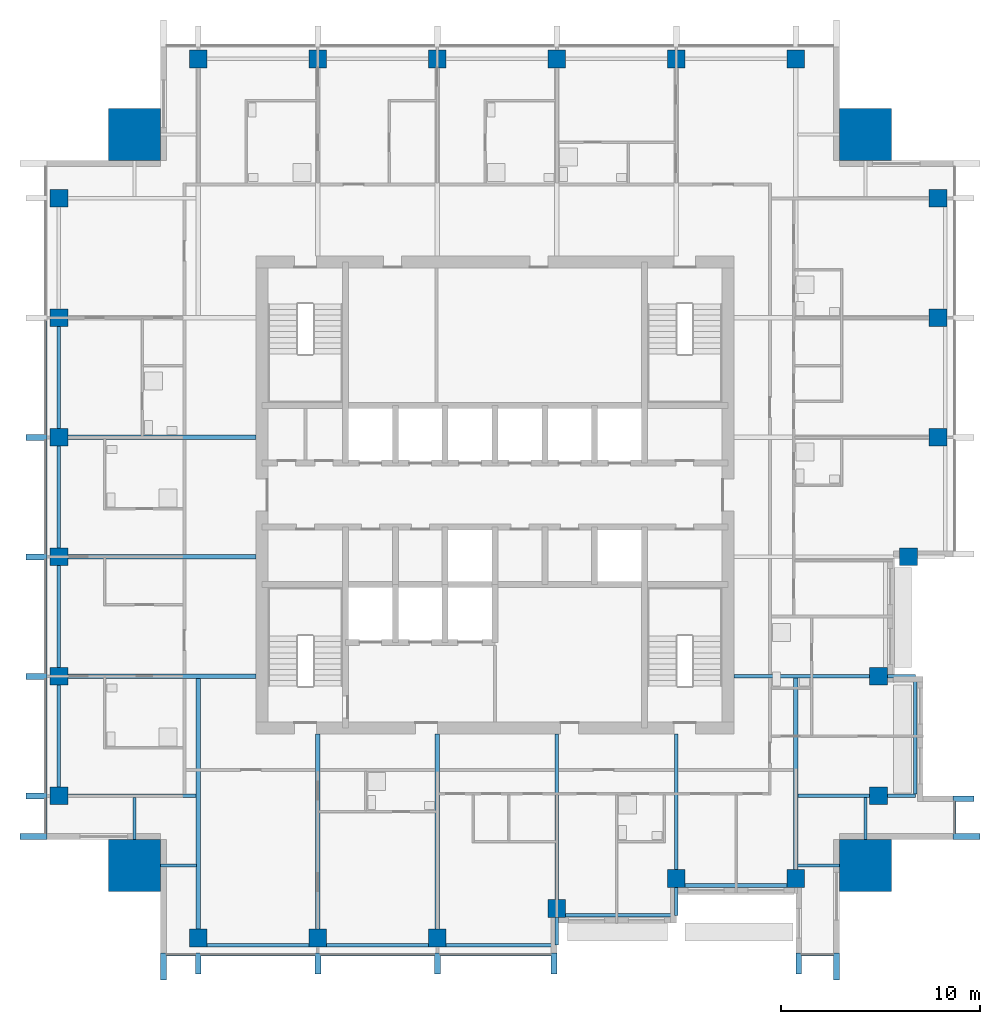
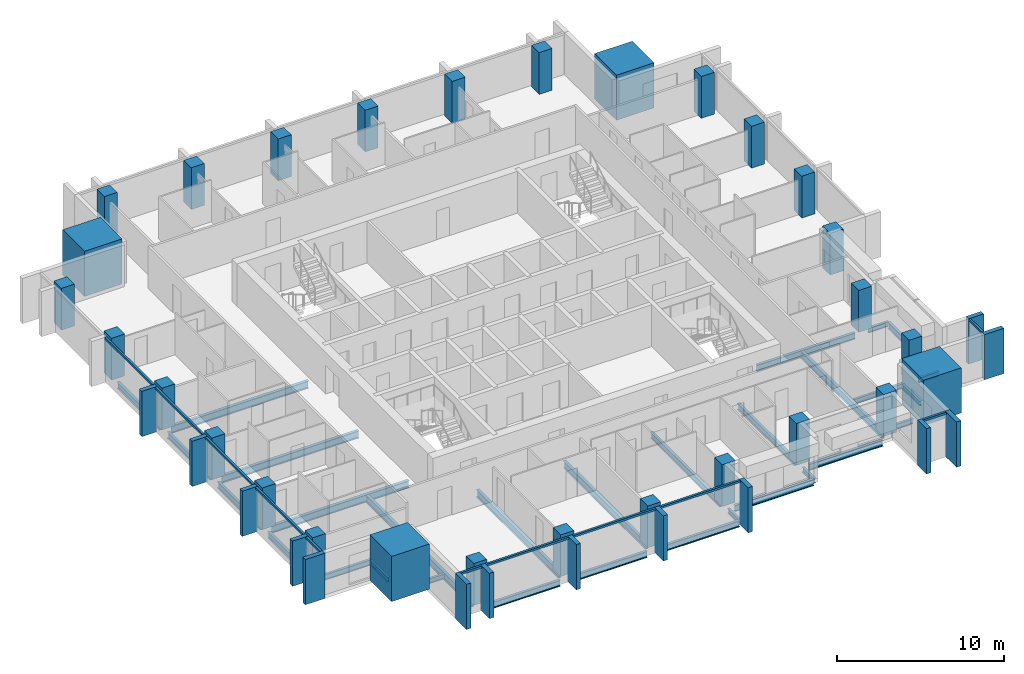
# One storey, part 1 of 10: 30 beams, 28 columns, 25 members, 4 elements without a shape of their own.
"""IFC4 building model written with IfcOpenShell, lengths in metres."""

from ifc_helpers import new_model, si_unit, direction, frame, origin, origin_2d, place, context, subcontext, project, spatial, rectangle, i_section, extrude, material, material_profile, profile_set, type_object, element, aggregate, save


model = new_model("IFC4")

# Units and contexts
model_context = context("Model", 3, precision=1e-05, world=origin(), true_north=direction((0.0, 1.0)))
body_context = subcontext(model_context, "Body", "Model", "MODEL_VIEW")
ifc_project = project(units=[si_unit("LENGTHUNIT", "METRE"), si_unit("AREAUNIT", "SQUARE_METRE"), si_unit("VOLUMEUNIT", "CUBIC_METRE"), si_unit("PLANEANGLEUNIT", "RADIAN"), si_unit("MASSUNIT", "GRAM", prefix="KILO")], contexts=[model_context])

# Site, building, storey
site_placement = place(None, origin())
site = spatial("IfcSite", under=ifc_project, at=site_placement, CompositionType="ELEMENT")
building_placement = place(site_placement, origin())
building = spatial("IfcBuilding", under=site, at=building_placement, Name="Amberfall Residences", CompositionType="ELEMENT")
storey_placement = place(building_placement, frame((0.0, 0.0, 203.5)))
storey = spatial("IfcBuildingStorey", under=building, at=storey_placement, Name="L54", CompositionType="ELEMENT", Elevation=203.5)

# Columns
ifc_material_1 = material(Name="Concrete C55", Category="concrete")
ifc_material_profile_1 = material_profile(ifc_material_1, rectangle(XDim=0.89990234375, YDim=0.89990234375, at=origin_2d()), Name="Column 900 x 900 C55")
ifc_profile_set_1 = profile_set([ifc_material_profile_1], Name="Concrete C55")
column_type_1 = type_object("IfcColumnType", Name="Column 900 x 900 C55", PredefinedType="COLUMN", material=ifc_profile_set_1)
for number, where, z_axis, x_axis, name in (
    (1, (59.60009765625, 23.25, 0.0), (0.0, 0.0, 1.0), (1.0, 0.0, 0.0), "Column C4 L54 S1"),
    (2, (65.60009765625, 23.25, 0.0), (0.0, 0.0, 1.0), (1.0, 0.0, 0.0), "Column C4 L54 S2"),
    (3, (71.60009765625, 23.25, 0.0), (0.0, 0.0, 1.0), (1.0, 0.0, 0.0), "Column C4 L54 S3"),
    (4, (77.60009765625, 24.75, 0.0), (0.0, 0.0, 1.0), (1.0, 0.0, 0.0), "Column C4 L54 S4"),
    (5, (83.60009765625, 26.25, 0.0), (0.0, 0.0, 1.0), (1.0, 0.0, 0.0), "Column C4 L54 S5"),
    (6, (89.60009765625, 26.25, 0.0), (0.0, 0.0, 1.0), (1.0, 0.0, 0.0), "Column C4 L54 S6"),
    (7, (93.75, 30.39990234375, 0.0), (0.0, 0.0, 1.0), (1.0, 0.0, 0.0), "Column C4 L54 E1"),
    (8, (93.75, 36.39990234375, 0.0), (0.0, 0.0, 1.0), (1.0, 0.0, 0.0), "Column C4 L54 E2"),
    (9, (95.25, 42.39990234375, 0.0), (0.0, 0.0, 1.0), (1.0, 0.0, 0.0), "Column C4 L54 E3"),
    (10, (96.75, 48.39990234375, 0.0), (0.0, 0.0, 1.0), (1.0, 0.0, 0.0), "Column C4 L54 E4"),
    (11, (96.75, 54.39990234375, 0.0), (0.0, 0.0, 1.0), (1.0, 0.0, 0.0), "Column C4 L54 E5"),
    (12, (96.75, 60.39990234375, 0.0), (0.0, 0.0, 1.0), (1.0, 0.0, 0.0), "Column C4 L54 E6"),
    (13, (59.60009765625, 67.39990234375, 0.0), (0.0, 0.0, 1.0), (1.0, 0.0, 0.0), "Column C4 L54 N1"),
    (14, (65.60009765625, 67.39990234375, 0.0), (0.0, 0.0, 1.0), (1.0, 0.0, 0.0), "Column C4 L54 N2"),
    (15, (71.60009765625, 67.39990234375, 0.0), (0.0, 0.0, 1.0), (1.0, 0.0, 0.0), "Column C4 L54 N3"),
    (16, (77.60009765625, 67.39990234375, 0.0), (0.0, 0.0, 1.0), (1.0, 0.0, 0.0), "Column C4 L54 N4"),
    (17, (83.60009765625, 67.39990234375, 0.0), (0.0, 0.0, 1.0), (1.0, 0.0, 0.0), "Column C4 L54 N5"),
    (18, (89.60009765625, 67.39990234375, 0.0), (0.0, 0.0, 1.0), (1.0, 0.0, 0.0), "Column C4 L54 N6"),
    (19, (52.60009765625, 30.39990234375, 0.0), (0.0, 0.0, 1.0), (1.0, 0.0, 0.0), "Column C4 L54 W1"),
    (20, (52.60009765625, 36.39990234375, 0.0), (0.0, 0.0, 1.0), (1.0, 0.0, 0.0), "Column C4 L54 W2"),
    (21, (52.60009765625, 42.39990234375, 0.0), (0.0, 0.0, 1.0), (1.0, 0.0, 0.0), "Column C4 L54 W3"),
    (22, (52.60009765625, 48.39990234375, 0.0), (0.0, 0.0, 1.0), (1.0, 0.0, 0.0), "Column C4 L54 W4"),
    (23, (52.60009765625, 54.39990234375, 0.0), (0.0, 0.0, 1.0), (1.0, 0.0, 0.0), "Column C4 L54 W5"),
    (24, (52.60009765625, 60.39990234375, 0.0), (0.0, 0.0, 1.0), (1.0, 0.0, 0.0), "Column C4 L54 W6"),
):
    element("IfcColumn", number, at=place(storey_placement, frame(where, z_axis=z_axis, x_axis=x_axis)), inside=storey, type_object=column_type_1, Name=name, PredefinedType="COLUMN", context=body_context, shape_type="SweptSolid", body=[
        extrude(rectangle(XDim=0.89990234375, YDim=0.89990234375, at=origin_2d()), origin(), (0.0, 0.0, 1.0), 3.050048828125),
    ])
ifc_material_profile_2 = material_profile(ifc_material_1, rectangle(XDim=2.60009765625, YDim=2.60009765625, at=origin_2d()), Name="Mega column 2600 x 2600 C55")
ifc_profile_set_2 = profile_set([ifc_material_profile_2], Name="Concrete C55")
column_type_2 = type_object("IfcColumnType", Name="Mega column 2600 x 2600 C55", PredefinedType="COLUMN", material=ifc_profile_set_2)
for number, where, z_axis, x_axis, name in (
    (25, (56.39990234375, 26.89990234375, 0.0), (0.0, 0.0, 1.0), (1.0, 0.0, 0.0), "Mega column MC8 L54 SW"),
    (26, (93.10009765625, 26.89990234375, 0.0), (0.0, 0.0, 1.0), (1.0, 0.0, 0.0), "Mega column MC8 L54 SE"),
    (27, (93.10009765625, 63.60009765625, 0.0), (0.0, 0.0, 1.0), (1.0, 0.0, 0.0), "Mega column MC8 L54 NE"),
    (28, (56.39990234375, 63.60009765625, 0.0), (0.0, 0.0, 1.0), (1.0, 0.0, 0.0), "Mega column MC8 L54 NW"),
):
    element("IfcColumn", number, at=place(storey_placement, frame(where, z_axis=z_axis, x_axis=x_axis)), inside=storey, type_object=column_type_2, Name=name, PredefinedType="COLUMN", context=body_context, shape_type="SweptSolid", body=[
        extrude(rectangle(XDim=2.60009765625, YDim=2.60009765625, at=origin_2d()), origin(), (0.0, 0.0, 1.0), 3.300048828125),
    ])

# Curtain wall, members
ifc_material_2 = material(Name="Bronze anodised aluminium and glass", Category="aluminium")
curtain_wall_type = type_object("IfcCurtainWallType", Name="Curtain wall CW1 tower unit", PredefinedType="USERDEFINED", material=ifc_material_2)
curtain_wall_1_placement = place(storey_placement, origin())
curtain_wall_1 = element("IfcCurtainWall", 29, at=curtain_wall_1_placement, inside=storey, type_object=curtain_wall_type, Name="Curtain wall L54 S S1", ObjectType="UNITISED CURTAIN WALL", PredefinedType="USERDEFINED")
ifc_material_3 = material(Name="Bronze anodised aluminium", Category="aluminium")
ifc_material_profile_3 = material_profile(ifc_material_3, rectangle(XDim=0.14990234375, YDim=0.14990234375, at=origin_2d()), Name="CW1 transom 150 x 150 bronze")
ifc_profile_set_3 = profile_set([ifc_material_profile_3], Name="Bronze anodised aluminium")
member_type_1 = type_object("IfcMemberType", Name="CW1 transom 150 x 150 bronze", PredefinedType="USERDEFINED", material=ifc_profile_set_3)
member_1_placement = place(storey_placement, frame((58.0, 22.425048828125, 2.97509765625), z_axis=(1.0, 0.0, 0.0), x_axis=(0.0, 1.0, 0.0)))
member_1 = element("IfcMember", 30, at=member_1_placement, type_object=member_type_1, Name="CW1 transom 1.1", ObjectType="TRANSOM", PredefinedType="USERDEFINED", context=body_context, shape_type="SweptSolid", body=[
    extrude(rectangle(XDim=0.14990234375, YDim=0.14990234375, at=origin_2d()), origin(), (0.0, 0.0, 1.0), 1.449951171875),
])
member_2_placement = place(storey_placement, frame((59.75, 22.425048828125, 2.97509765625), z_axis=(1.0, 0.0, 0.0), x_axis=(0.0, 1.0, 0.0)))
member_2 = element("IfcMember", 31, at=member_2_placement, type_object=member_type_1, Name="CW1 transom 2.1", ObjectType="TRANSOM", PredefinedType="USERDEFINED", context=body_context, shape_type="SweptSolid", body=[
    extrude(rectangle(XDim=0.14990234375, YDim=0.14990234375, at=origin_2d()), origin(), (0.0, 0.0, 1.0), 5.699951171875),
])
member_3_placement = place(storey_placement, frame((65.75, 22.425048828125, 2.97509765625), z_axis=(1.0, 0.0, 0.0), x_axis=(0.0, 1.0, 0.0)))
member_3 = element("IfcMember", 32, at=member_3_placement, type_object=member_type_1, Name="CW1 transom 3.1", ObjectType="TRANSOM", PredefinedType="USERDEFINED", context=body_context, shape_type="SweptSolid", body=[
    extrude(rectangle(XDim=0.14990234375, YDim=0.14990234375, at=origin_2d()), origin(), (0.0, 0.0, 1.0), 5.699951171875),
])
member_4_placement = place(storey_placement, frame((71.75, 22.425048828125, 2.97509765625), z_axis=(1.0, 0.0, 0.0), x_axis=(0.0, 1.0, 0.0)))
member_4 = element("IfcMember", 33, at=member_4_placement, type_object=member_type_1, Name="CW1 transom 4.1", ObjectType="TRANSOM", PredefinedType="USERDEFINED", context=body_context, shape_type="SweptSolid", body=[
    extrude(rectangle(XDim=0.14990234375, YDim=0.14990234375, at=origin_2d()), origin(), (0.0, 0.0, 1.0), 5.550048828125),
])

# Curtain wall, member
curtain_wall_2_placement = place(storey_placement, origin())
curtain_wall_2 = element("IfcCurtainWall", 34, at=curtain_wall_2_placement, inside=storey, type_object=curtain_wall_type, Name="Curtain wall L54 S S7", ObjectType="UNITISED CURTAIN WALL", PredefinedType="USERDEFINED")
member_5_placement = place(storey_placement, frame((89.89990234375, 22.425048828125, 2.97509765625), z_axis=(1.0, 0.0, 0.0), x_axis=(0.0, 1.0, 0.0)))
member_5 = element("IfcMember", 35, at=member_5_placement, type_object=member_type_1, Name="CW1 transom 1.1", ObjectType="TRANSOM", PredefinedType="USERDEFINED", context=body_context, shape_type="SweptSolid", body=[
    extrude(rectangle(XDim=0.14990234375, YDim=0.14990234375, at=origin_2d()), origin(), (0.0, 0.0, 1.0), 1.60009765625),
])

curtain_wall_3_placement = place(storey_placement, origin())
curtain_wall_3 = element("IfcCurtainWall", 36, at=curtain_wall_3_placement, inside=storey, type_object=curtain_wall_type, Name="Curtain wall L54 E E1", ObjectType="UNITISED CURTAIN WALL", PredefinedType="USERDEFINED")
member_6_placement = place(storey_placement, frame((97.574951171875, 28.5, 2.97509765625), z_axis=(0.0, 1.0, 0.0), x_axis=(-1.0, 0.0, 0.0)))
member_6 = element("IfcMember", 37, at=member_6_placement, type_object=member_type_1, Name="CW1 transom 1.1", ObjectType="TRANSOM", PredefinedType="USERDEFINED", context=body_context, shape_type="SweptSolid", body=[
    extrude(rectangle(XDim=0.14990234375, YDim=0.14990234375, at=origin_2d()), origin(), (0.0, 0.0, 1.0), 1.60009765625),
])

# Curtain wall, members
curtain_wall_4_placement = place(storey_placement, origin())
curtain_wall_4 = element("IfcCurtainWall", 38, at=curtain_wall_4_placement, inside=storey, type_object=curtain_wall_type, Name="Curtain wall L54 W W1", ObjectType="UNITISED CURTAIN WALL", PredefinedType="USERDEFINED")
member_7_placement = place(storey_placement, frame((51.925048828125, 54.25, 2.97509765625), z_axis=(0.0, -1.0, 0.0), x_axis=(1.0, 0.0, 0.0)))
member_7 = element("IfcMember", 39, at=member_7_placement, type_object=member_type_1, Name="CW1 transom 3.1", ObjectType="TRANSOM", PredefinedType="USERDEFINED", context=body_context, shape_type="SweptSolid", body=[
    extrude(rectangle(XDim=0.14990234375, YDim=0.14990234375, at=origin_2d()), origin(), (0.0, 0.0, 1.0), 5.699951171875),
])
member_8_placement = place(storey_placement, frame((51.925048828125, 48.25, 2.97509765625), z_axis=(0.0, -1.0, 0.0), x_axis=(1.0, 0.0, 0.0)))
member_8 = element("IfcMember", 40, at=member_8_placement, type_object=member_type_1, Name="CW1 transom 4.1", ObjectType="TRANSOM", PredefinedType="USERDEFINED", context=body_context, shape_type="SweptSolid", body=[
    extrude(rectangle(XDim=0.14990234375, YDim=0.14990234375, at=origin_2d()), origin(), (0.0, 0.0, 1.0), 5.699951171875),
])
member_9_placement = place(storey_placement, frame((51.925048828125, 42.25, 2.97509765625), z_axis=(0.0, -1.0, 0.0), x_axis=(1.0, 0.0, 0.0)))
member_9 = element("IfcMember", 41, at=member_9_placement, type_object=member_type_1, Name="CW1 transom 5.1", ObjectType="TRANSOM", PredefinedType="USERDEFINED", context=body_context, shape_type="SweptSolid", body=[
    extrude(rectangle(XDim=0.14990234375, YDim=0.14990234375, at=origin_2d()), origin(), (0.0, 0.0, 1.0), 5.699951171875),
])
member_10_placement = place(storey_placement, frame((51.925048828125, 36.25, 2.97509765625), z_axis=(0.0, -1.0, 0.0), x_axis=(1.0, 0.0, 0.0)))
member_10 = element("IfcMember", 42, at=member_10_placement, type_object=member_type_1, Name="CW1 transom 6.1", ObjectType="TRANSOM", PredefinedType="USERDEFINED", context=body_context, shape_type="SweptSolid", body=[
    extrude(rectangle(XDim=0.14990234375, YDim=0.14990234375, at=origin_2d()), origin(), (0.0, 0.0, 1.0), 5.699951171875),
])
member_11_placement = place(storey_placement, frame((51.925048828125, 30.25, 2.97509765625), z_axis=(0.0, -1.0, 0.0), x_axis=(1.0, 0.0, 0.0)))
member_11 = element("IfcMember", 43, at=member_11_placement, type_object=member_type_1, Name="CW1 transom 7.1", ObjectType="TRANSOM", PredefinedType="USERDEFINED", context=body_context, shape_type="SweptSolid", body=[
    extrude(rectangle(XDim=0.14990234375, YDim=0.14990234375, at=origin_2d()), origin(), (0.0, 0.0, 1.0), 1.75),
])

# Beams
ifc_material_4 = material(Name="Steel S355", Category="steel")
ifc_material_profile_4 = material_profile(ifc_material_4, i_section(OverallWidth=0.171142578125, OverallDepth=0.351318359375, WebThickness=0.007080078125, FlangeThickness=0.009765625, FilletRadius=0.01025390625, at=origin_2d()), Name="UB 356x171x45")
ifc_profile_set_4 = profile_set([ifc_material_profile_4], Name="Steel S355")
beam_type_1 = type_object("IfcBeamType", Name="Cantilever girder UB 356x171x45", PredefinedType="BEAM", material=ifc_profile_set_4)
for number, where, z_axis, x_axis, name in (
    (44, (77.60009765625, 24.300048828125, -0.42578125), (0.0, -1.0, 0.0), (1.0, 0.0, 0.0), "Cantilever girder B8 L54 06"),
    (45, (83.60009765625, 25.800048828125, -0.42578125), (0.0, -1.0, 0.0), (1.0, 0.0, 0.0), "Cantilever girder B8 L54 07"),
    (46, (94.199951171875, 30.39990234375, -0.42578125), (1.0, 0.0, 0.0), (0.0, 1.0, 0.0), "Cantilever girder B8 L54 19"),
    (47, (94.199951171875, 36.39990234375, -0.42578125), (1.0, 0.0, 0.0), (0.0, 1.0, 0.0), "Cantilever girder B8 L54 20"),
):
    element("IfcBeam", number, at=place(storey_placement, frame(where, z_axis=z_axis, x_axis=x_axis)), inside=storey, type_object=beam_type_1, Name=name, PredefinedType="BEAM", context=body_context, shape_type="SweptSolid", body=[
        extrude(i_section(OverallWidth=0.171142578125, OverallDepth=0.351318359375, WebThickness=0.007080078125, FlangeThickness=0.009765625, FilletRadius=0.01025390625, at=origin_2d()), origin(), (0.0, 0.0, 1.0), 1.400146484375),
    ])

# Member
ifc_material_profile_5 = material_profile(ifc_material_3, rectangle(XDim=1.35009765625, YDim=0.300048828125, at=origin_2d()), Name="Corner fin 300 x 1350 bronze")
ifc_profile_set_5 = profile_set([ifc_material_profile_5], Name="Bronze anodised aluminium")
member_type_2 = type_object("IfcMemberType", Name="Corner fin 300 x 1350 bronze", PredefinedType="MULLION", material=ifc_profile_set_5)
member_12_placement = place(storey_placement, frame((57.85009765625, 21.824951171875, -0.25), z_axis=(0.0, 0.0, 1.0), x_axis=(0.0, 1.0, 0.0)))
member_12 = element("IfcMember", 48, at=member_12_placement, type_object=member_type_2, Name="CW FIN 1", PredefinedType="MULLION", context=body_context, shape_type="SweptSolid", body=[
    extrude(rectangle(XDim=1.35009765625, YDim=0.300048828125, at=origin_2d()), origin(), (0.0, 0.0, 1.0), 3.300048828125),
])

member_13_placement = place(storey_placement, frame((91.64990234375, 21.824951171875, -0.25), z_axis=(0.0, 0.0, 1.0), x_axis=(0.0, 1.0, 0.0)))
member_13 = element("IfcMember", 49, at=member_13_placement, type_object=member_type_2, Name="CW FIN 2", PredefinedType="MULLION", context=body_context, shape_type="SweptSolid", body=[
    extrude(rectangle(XDim=1.35009765625, YDim=0.300048828125, at=origin_2d()), origin(), (0.0, 0.0, 1.0), 3.300048828125),
])

member_14_placement = place(storey_placement, frame((98.175048828125, 28.35009765625, -0.25), z_axis=(0.0, 0.0, 1.0), x_axis=(-1.0, 0.0, 0.0)))
member_14 = element("IfcMember", 50, at=member_14_placement, type_object=member_type_2, Name="CW FIN 1", PredefinedType="MULLION", context=body_context, shape_type="SweptSolid", body=[
    extrude(rectangle(XDim=1.35009765625, YDim=0.300048828125, at=origin_2d()), origin(), (0.0, 0.0, 1.0), 3.300048828125),
])

member_15_placement = place(storey_placement, frame((51.324951171875, 28.35009765625, -0.25), z_axis=(0.0, 0.0, 1.0), x_axis=(1.0, 0.0, 0.0)))
member_15 = element("IfcMember", 51, at=member_15_placement, type_object=member_type_2, Name="CW FIN 8", PredefinedType="MULLION", context=body_context, shape_type="SweptSolid", body=[
    extrude(rectangle(XDim=1.35009765625, YDim=0.300048828125, at=origin_2d()), origin(), (0.0, 0.0, 1.0), 3.300048828125),
])

# Beams
ifc_material_profile_6 = material_profile(ifc_material_4, i_section(OverallWidth=0.18994140625, OverallDepth=0.453369140625, WebThickness=0.008544921875, FlangeThickness=0.0126953125, FilletRadius=0.01025390625, at=origin_2d()), Name="UB 457x191x67")
ifc_profile_set_6 = profile_set([ifc_material_profile_6], Name="Steel S355")
beam_type_2 = type_object("IfcBeamType", Name="Edge beam UB 457x191x67", PredefinedType="SPANDREL", material=ifc_profile_set_6)
for number, where, z_axis, x_axis, name in (
    (52, (60.050048828125, 22.89990234375, -0.476806640625), (1.0, 0.0, 0.0), (0.0, 1.0, 0.0), "Edge beam B1 L54 01"),
    (53, (66.050048828125, 22.89990234375, -0.476806640625), (1.0, 0.0, 0.0), (0.0, 1.0, 0.0), "Edge beam B1 L54 02"),
):
    element("IfcBeam", number, at=place(storey_placement, frame(where, z_axis=z_axis, x_axis=x_axis)), inside=storey, type_object=beam_type_2, Name=name, PredefinedType="SPANDREL", context=body_context, shape_type="SweptSolid", body=[
        extrude(i_section(OverallWidth=0.18994140625, OverallDepth=0.453369140625, WebThickness=0.008544921875, FlangeThickness=0.0126953125, FilletRadius=0.01025390625, at=origin_2d()), origin(), (0.0, 0.0, 1.0), 5.099853515625),
    ])
for number, where, z_axis, x_axis, name in (
    (54, (72.050048828125, 22.89990234375, -0.476806640625), (1.0, 0.0, 0.0), (0.0, 1.0, 0.0), "Edge beam B1 L54 03"),
    (55, (78.050048828125, 24.39990234375, -0.476806640625), (1.0, 0.0, 0.0), (0.0, 1.0, 0.0), "Edge beam B1 L54 04"),
):
    element("IfcBeam", number, at=place(storey_placement, frame(where, z_axis=z_axis, x_axis=x_axis)), inside=storey, type_object=beam_type_2, Name=name, PredefinedType="SPANDREL", context=body_context, shape_type="SweptSolid", body=[
        extrude(i_section(OverallWidth=0.18994140625, OverallDepth=0.453369140625, WebThickness=0.008544921875, FlangeThickness=0.0126953125, FilletRadius=0.01025390625, at=origin_2d()), origin(), (0.0, 0.0, 1.0), 5.469970703125),
    ])
beam_1_placement = place(storey_placement, frame((84.050048828125, 25.89990234375, -0.476806640625), z_axis=(1.0, 0.0, 0.0), x_axis=(0.0, 1.0, 0.0)))
element("IfcBeam", 56, at=beam_1_placement, inside=storey, type_object=beam_type_2, Name="Edge beam B1 L54 05", PredefinedType="SPANDREL", context=body_context, shape_type="SweptSolid", body=[
    extrude(i_section(OverallWidth=0.18994140625, OverallDepth=0.453369140625, WebThickness=0.008544921875, FlangeThickness=0.0126953125, FilletRadius=0.01025390625, at=origin_2d()), origin(), (0.0, 0.0, 1.0), 5.099853515625),
])
beam_2_placement = place(storey_placement, frame((95.60009765625, 30.47998046875, -0.476806640625), z_axis=(0.0, 1.0, 0.0), x_axis=(-1.0, 0.0, 0.0)))
element("IfcBeam", 57, at=beam_2_placement, inside=storey, type_object=beam_type_2, Name="Edge beam B1 L54 14", PredefinedType="SPANDREL", context=body_context, shape_type="SweptSolid", body=[
    extrude(i_section(OverallWidth=0.18994140625, OverallDepth=0.453369140625, WebThickness=0.008544921875, FlangeThickness=0.0126953125, FilletRadius=0.01025390625, at=origin_2d()), origin(), (0.0, 0.0, 1.0), 5.840087890625),
])
for number, where, z_axis, x_axis, name in (
    (58, (52.60009765625, 30.85009765625, -0.476806640625), (0.0, 1.0, 0.0), (-1.0, 0.0, 0.0), "Edge beam B1 L54 39"),
    (59, (52.60009765625, 36.85009765625, -0.476806640625), (0.0, 1.0, 0.0), (-1.0, 0.0, 0.0), "Edge beam B1 L54 40"),
    (60, (52.60009765625, 42.85009765625, -0.476806640625), (0.0, 1.0, 0.0), (-1.0, 0.0, 0.0), "Edge beam B1 L54 41"),
    (61, (52.60009765625, 48.85009765625, -0.476806640625), (0.0, 1.0, 0.0), (-1.0, 0.0, 0.0), "Edge beam B1 L54 42"),
):
    element("IfcBeam", number, at=place(storey_placement, frame(where, z_axis=z_axis, x_axis=x_axis)), inside=storey, type_object=beam_type_2, Name=name, PredefinedType="SPANDREL", context=body_context, shape_type="SweptSolid", body=[
        extrude(i_section(OverallWidth=0.18994140625, OverallDepth=0.453369140625, WebThickness=0.008544921875, FlangeThickness=0.0126953125, FilletRadius=0.01025390625, at=origin_2d()), origin(), (0.0, 0.0, 1.0), 5.099853515625),
    ])

# Member
ifc_material_profile_7 = material_profile(ifc_material_3, rectangle(XDim=1.050048828125, YDim=0.300048828125, at=origin_2d()), Name="Fin 300 x 1050 bronze")
ifc_profile_set_7 = profile_set([ifc_material_profile_7], Name="Bronze anodised aluminium")
member_type_3 = type_object("IfcMemberType", Name="Fin 300 x 1050 bronze", PredefinedType="MULLION", material=ifc_profile_set_7)
member_16_placement = place(storey_placement, frame((59.60009765625, 21.97509765625, -0.25), z_axis=(0.0, 0.0, 1.0), x_axis=(0.0, 1.0, 0.0)))
member_16 = element("IfcMember", 62, at=member_16_placement, type_object=member_type_3, Name="CW FIN 2", PredefinedType="MULLION", context=body_context, shape_type="SweptSolid", body=[
    extrude(rectangle(XDim=1.050048828125, YDim=0.300048828125, at=origin_2d()), origin(), (0.0, 0.0, 1.0), 3.300048828125),
])

member_17_placement = place(storey_placement, frame((65.60009765625, 21.97509765625, -0.25), z_axis=(0.0, 0.0, 1.0), x_axis=(0.0, 1.0, 0.0)))
member_17 = element("IfcMember", 63, at=member_17_placement, type_object=member_type_3, Name="CW FIN 3", PredefinedType="MULLION", context=body_context, shape_type="SweptSolid", body=[
    extrude(rectangle(XDim=1.050048828125, YDim=0.300048828125, at=origin_2d()), origin(), (0.0, 0.0, 1.0), 3.300048828125),
])

member_18_placement = place(storey_placement, frame((71.60009765625, 21.97509765625, -0.25), z_axis=(0.0, 0.0, 1.0), x_axis=(0.0, 1.0, 0.0)))
member_18 = element("IfcMember", 64, at=member_18_placement, type_object=member_type_3, Name="CW FIN 4", PredefinedType="MULLION", context=body_context, shape_type="SweptSolid", body=[
    extrude(rectangle(XDim=1.050048828125, YDim=0.300048828125, at=origin_2d()), origin(), (0.0, 0.0, 1.0), 3.300048828125),
])

member_19_placement = place(storey_placement, frame((77.449951171875, 21.97509765625, -0.25), z_axis=(0.0, 0.0, 1.0), x_axis=(0.0, 1.0, 0.0)))
member_19 = element("IfcMember", 65, at=member_19_placement, type_object=member_type_3, Name="CW FIN 5", PredefinedType="MULLION", context=body_context, shape_type="SweptSolid", body=[
    extrude(rectangle(XDim=1.050048828125, YDim=0.300048828125, at=origin_2d()), origin(), (0.0, 0.0, 1.0), 3.300048828125),
])

aggregate(curtain_wall_1, [member_12, member_16, member_17, member_18, member_19, member_1, member_2, member_3, member_4])

member_20_placement = place(storey_placement, frame((89.75, 21.97509765625, -0.25), z_axis=(0.0, 0.0, 1.0), x_axis=(0.0, 1.0, 0.0)))
member_20 = element("IfcMember", 66, at=member_20_placement, type_object=member_type_3, Name="CW FIN 1", PredefinedType="MULLION", context=body_context, shape_type="SweptSolid", body=[
    extrude(rectangle(XDim=1.050048828125, YDim=0.300048828125, at=origin_2d()), origin(), (0.0, 0.0, 1.0), 3.300048828125),
])

aggregate(curtain_wall_2, [member_20, member_13, member_5])

member_21_placement = place(storey_placement, frame((98.02490234375, 30.25, -0.25), z_axis=(0.0, 0.0, 1.0), x_axis=(-1.0, 0.0, 0.0)))
member_21 = element("IfcMember", 67, at=member_21_placement, type_object=member_type_3, Name="CW FIN 2", PredefinedType="MULLION", context=body_context, shape_type="SweptSolid", body=[
    extrude(rectangle(XDim=1.050048828125, YDim=0.300048828125, at=origin_2d()), origin(), (0.0, 0.0, 1.0), 3.300048828125),
])

aggregate(curtain_wall_3, [member_14, member_21, member_6])

member_22_placement = place(storey_placement, frame((51.47509765625, 48.39990234375, -0.25), z_axis=(0.0, 0.0, 1.0), x_axis=(1.0, 0.0, 0.0)))
member_22 = element("IfcMember", 68, at=member_22_placement, type_object=member_type_3, Name="CW FIN 4", PredefinedType="MULLION", context=body_context, shape_type="SweptSolid", body=[
    extrude(rectangle(XDim=1.050048828125, YDim=0.300048828125, at=origin_2d()), origin(), (0.0, 0.0, 1.0), 3.300048828125),
])

member_23_placement = place(storey_placement, frame((51.47509765625, 42.39990234375, -0.25), z_axis=(0.0, 0.0, 1.0), x_axis=(1.0, 0.0, 0.0)))
member_23 = element("IfcMember", 69, at=member_23_placement, type_object=member_type_3, Name="CW FIN 5", PredefinedType="MULLION", context=body_context, shape_type="SweptSolid", body=[
    extrude(rectangle(XDim=1.050048828125, YDim=0.300048828125, at=origin_2d()), origin(), (0.0, 0.0, 1.0), 3.300048828125),
])

member_24_placement = place(storey_placement, frame((51.47509765625, 36.39990234375, -0.25), z_axis=(0.0, 0.0, 1.0), x_axis=(1.0, 0.0, 0.0)))
member_24 = element("IfcMember", 70, at=member_24_placement, type_object=member_type_3, Name="CW FIN 6", PredefinedType="MULLION", context=body_context, shape_type="SweptSolid", body=[
    extrude(rectangle(XDim=1.050048828125, YDim=0.300048828125, at=origin_2d()), origin(), (0.0, 0.0, 1.0), 3.300048828125),
])

member_25_placement = place(storey_placement, frame((51.47509765625, 30.39990234375, -0.25), z_axis=(0.0, 0.0, 1.0), x_axis=(1.0, 0.0, 0.0)))
member_25 = element("IfcMember", 71, at=member_25_placement, type_object=member_type_3, Name="CW FIN 7", PredefinedType="MULLION", context=body_context, shape_type="SweptSolid", body=[
    extrude(rectangle(XDim=1.050048828125, YDim=0.300048828125, at=origin_2d()), origin(), (0.0, 0.0, 1.0), 3.300048828125),
])

aggregate(curtain_wall_4, [member_22, member_23, member_24, member_25, member_15, member_7, member_8, member_9, member_10, member_11])

# Beams
ifc_material_profile_8 = material_profile(ifc_material_4, i_section(OverallWidth=0.171142578125, OverallDepth=0.351318359375, WebThickness=0.007080078125, FlangeThickness=0.009765625, FilletRadius=0.01025390625, at=origin_2d()), Name="UB 356x171x45")
ifc_profile_set_8 = profile_set([ifc_material_profile_8], Name="Steel S355")
beam_type_3 = type_object("IfcBeamType", Name="Floor girder UB 356x171x45", PredefinedType="BEAM", material=ifc_profile_set_8)
beam_3_placement = place(storey_placement, frame((93.300048828125, 30.39990234375, -0.42578125), z_axis=(-1.0, 0.0, 0.0), x_axis=(0.0, -1.0, 0.0)))
element("IfcBeam", 72, at=beam_3_placement, inside=storey, type_object=beam_type_3, Name="Floor girder B11 L54 22", PredefinedType="BEAM", context=body_context, shape_type="SweptSolid", body=[
    extrude(i_section(OverallWidth=0.171142578125, OverallDepth=0.351318359375, WebThickness=0.007080078125, FlangeThickness=0.009765625, FilletRadius=0.01025390625, at=origin_2d()), origin(), (0.0, 0.0, 1.0), 3.580078125),
])
ifc_material_profile_9 = material_profile(ifc_material_4, i_section(OverallWidth=0.177734375, OverallDepth=0.402587890625, WebThickness=0.0078125, FlangeThickness=0.010986328125, FilletRadius=0.01025390625, at=origin_2d()), Name="UB 406x178x54")
ifc_profile_set_9 = profile_set([ifc_material_profile_9], Name="Steel S355")
beam_type_4 = type_object("IfcBeamType", Name="Floor girder UB 406x178x54", PredefinedType="BEAM", material=ifc_profile_set_9)
beam_4_placement = place(storey_placement, frame((53.050048828125, 30.39990234375, -0.451416015625), z_axis=(1.0, 0.0, 0.0), x_axis=(0.0, 1.0, 0.0)))
element("IfcBeam", 73, at=beam_4_placement, inside=storey, type_object=beam_type_4, Name="Floor girder B4 L54 44", PredefinedType="BEAM", context=body_context, shape_type="SweptSolid", body=[
    extrude(i_section(OverallWidth=0.177734375, OverallDepth=0.402587890625, WebThickness=0.0078125, FlangeThickness=0.010986328125, FilletRadius=0.01025390625, at=origin_2d()), origin(), (0.0, 0.0, 1.0), 6.429931640625),
])
ifc_material_profile_10 = material_profile(ifc_material_4, i_section(OverallWidth=0.19140625, OverallDepth=0.4599609375, WebThickness=0.010009765625, FlangeThickness=0.01611328125, FilletRadius=0.01025390625, at=origin_2d()), Name="UB 457x191x82")
ifc_profile_set_10 = profile_set([ifc_material_profile_10], Name="Steel S355")
beam_type_5 = type_object("IfcBeamType", Name="Floor girder UB 457x191x82", PredefinedType="BEAM", material=ifc_profile_set_10)
beam_5_placement = place(storey_placement, frame((77.60009765625, 25.199951171875, -0.47998046875), z_axis=(0.0, 1.0, 0.0), x_axis=(-1.0, 0.0, 0.0)))
element("IfcBeam", 74, at=beam_5_placement, inside=storey, type_object=beam_type_5, Name="Floor girder B10 L54 11", PredefinedType="BEAM", context=body_context, shape_type="SweptSolid", body=[
    extrude(i_section(OverallWidth=0.19140625, OverallDepth=0.4599609375, WebThickness=0.010009765625, FlangeThickness=0.01611328125, FilletRadius=0.01025390625, at=origin_2d()), origin(), (0.0, 0.0, 1.0), 8.300048828125),
])
for number, where, z_axis, x_axis, name in (
    (75, (83.60009765625, 26.699951171875, -0.47998046875), (0.0, 1.0, 0.0), (-1.0, 0.0, 0.0), "Floor girder B10 L54 12"),
    (76, (93.300048828125, 36.39990234375, -0.47998046875), (-1.0, 0.0, 0.0), (0.0, -1.0, 0.0), "Floor girder B10 L54 23"),
):
    element("IfcBeam", number, at=place(storey_placement, frame(where, z_axis=z_axis, x_axis=x_axis)), inside=storey, type_object=beam_type_5, Name=name, PredefinedType="BEAM", context=body_context, shape_type="SweptSolid", body=[
        extrude(i_section(OverallWidth=0.19140625, OverallDepth=0.4599609375, WebThickness=0.010009765625, FlangeThickness=0.01611328125, FilletRadius=0.01025390625, at=origin_2d()), origin(), (0.0, 0.0, 1.0), 6.800048828125),
    ])
ifc_material_profile_11 = material_profile(ifc_material_4, i_section(OverallWidth=0.210693359375, OverallDepth=0.53955078125, WebThickness=0.01171875, FlangeThickness=0.018798828125, FilletRadius=0.0126953125, at=origin_2d()), Name="UB 533x210x109")
ifc_profile_set_11 = profile_set([ifc_material_profile_11], Name="Steel S355")
beam_type_6 = type_object("IfcBeamType", Name="Floor girder UB 533x210x109", PredefinedType="BEAM", material=ifc_profile_set_11)
beam_6_placement = place(storey_placement, frame((59.60009765625, 23.699951171875, -0.519775390625), z_axis=(0.0, 1.0, 0.0), x_axis=(-1.0, 0.0, 0.0)))
element("IfcBeam", 77, at=beam_6_placement, inside=storey, type_object=beam_type_6, Name="Floor girder B2 L54 08", PredefinedType="BEAM", context=body_context, shape_type="SweptSolid", body=[
    extrude(i_section(OverallWidth=0.210693359375, OverallDepth=0.53955078125, WebThickness=0.01171875, FlangeThickness=0.018798828125, FilletRadius=0.0126953125, at=origin_2d()), origin(), (0.0, 0.0, 1.0), 12.600341796875),
])
ifc_material_profile_12 = material_profile(ifc_material_4, i_section(OverallWidth=0.209228515625, OverallDepth=0.533203125, WebThickness=0.010009765625, FlangeThickness=0.015625, FilletRadius=0.0126953125, at=origin_2d()), Name="UB 533x210x92")
ifc_profile_set_12 = profile_set([ifc_material_profile_12], Name="Steel S355")
beam_type_7 = type_object("IfcBeamType", Name="Floor girder UB 533x210x92", PredefinedType="BEAM", material=ifc_profile_set_12)
for number, where, z_axis, x_axis, name in (
    (78, (65.60009765625, 23.699951171875, -0.5166015625), (0.0, 1.0, 0.0), (-1.0, 0.0, 0.0), "Floor girder B3 L54 09"),
    (79, (71.60009765625, 23.699951171875, -0.5166015625), (0.0, 1.0, 0.0), (-1.0, 0.0, 0.0), "Floor girder B3 L54 10"),
):
    element("IfcBeam", number, at=place(storey_placement, frame(where, z_axis=z_axis, x_axis=x_axis)), inside=storey, type_object=beam_type_7, Name=name, PredefinedType="BEAM", context=body_context, shape_type="SweptSolid", body=[
        extrude(i_section(OverallWidth=0.209228515625, OverallDepth=0.533203125, WebThickness=0.010009765625, FlangeThickness=0.015625, FilletRadius=0.0126953125, at=origin_2d()), origin(), (0.0, 0.0, 1.0), 9.800048828125),
    ])
beam_7_placement = place(storey_placement, frame((89.60009765625, 26.699951171875, -0.5166015625), z_axis=(0.0, 1.0, 0.0), x_axis=(-1.0, 0.0, 0.0)))
element("IfcBeam", 80, at=beam_7_placement, inside=storey, type_object=beam_type_7, Name="Floor girder B3 L54 13", PredefinedType="BEAM", context=body_context, shape_type="SweptSolid", body=[
    extrude(i_section(OverallWidth=0.209228515625, OverallDepth=0.533203125, WebThickness=0.010009765625, FlangeThickness=0.015625, FilletRadius=0.0126953125, at=origin_2d()), origin(), (0.0, 0.0, 1.0), 9.609375),
])
for number, where, z_axis, x_axis, name in (
    (81, (53.050048828125, 36.39990234375, -0.5166015625), (1.0, 0.0, 0.0), (0.0, 1.0, 0.0), "Floor girder B3 L54 45"),
    (82, (53.050048828125, 42.39990234375, -0.5166015625), (1.0, 0.0, 0.0), (0.0, 1.0, 0.0), "Floor girder B3 L54 46"),
    (83, (53.050048828125, 48.39990234375, -0.5166015625), (1.0, 0.0, 0.0), (0.0, 1.0, 0.0), "Floor girder B3 L54 47"),
):
    element("IfcBeam", number, at=place(storey_placement, frame(where, z_axis=z_axis, x_axis=x_axis)), inside=storey, type_object=beam_type_7, Name=name, PredefinedType="BEAM", context=body_context, shape_type="SweptSolid", body=[
        extrude(i_section(OverallWidth=0.209228515625, OverallDepth=0.533203125, WebThickness=0.010009765625, FlangeThickness=0.015625, FilletRadius=0.0126953125, at=origin_2d()), origin(), (0.0, 0.0, 1.0), 9.449951171875),
    ])
ifc_material_profile_13 = material_profile(ifc_material_4, i_section(OverallWidth=0.171142578125, OverallDepth=0.351318359375, WebThickness=0.007080078125, FlangeThickness=0.009765625, FilletRadius=0.01025390625, at=origin_2d()), Name="UB 356x171x45")
ifc_profile_set_13 = profile_set([ifc_material_profile_13], Name="Steel S355")
beam_type_8 = type_object("IfcBeamType", Name="Link beam UB 356x171x45", PredefinedType="BEAM", material=ifc_profile_set_13)
beam_8_placement = place(storey_placement, frame((57.699951171875, 26.89990234375, -0.42578125), z_axis=(1.0, 0.0, 0.0), x_axis=(0.0, 1.0, 0.0)))
element("IfcBeam", 84, at=beam_8_placement, inside=storey, type_object=beam_type_8, Name="Link beam B7 L54 50", PredefinedType="BEAM", context=body_context, shape_type="SweptSolid", body=[
    extrude(i_section(OverallWidth=0.171142578125, OverallDepth=0.351318359375, WebThickness=0.007080078125, FlangeThickness=0.009765625, FilletRadius=0.01025390625, at=origin_2d()), origin(), (0.0, 0.0, 1.0), 1.8046875),
])
beam_9_placement = place(storey_placement, frame((56.39990234375, 28.199951171875, -0.42578125), z_axis=(0.0, 1.0, 0.0), x_axis=(-1.0, 0.0, 0.0)))
element("IfcBeam", 85, at=beam_9_placement, inside=storey, type_object=beam_type_8, Name="Link beam B7 L54 51", PredefinedType="BEAM", context=body_context, shape_type="SweptSolid", body=[
    extrude(i_section(OverallWidth=0.171142578125, OverallDepth=0.351318359375, WebThickness=0.007080078125, FlangeThickness=0.009765625, FilletRadius=0.01025390625, at=origin_2d()), origin(), (0.0, 0.0, 1.0), 2.121337890625),
])
beam_10_placement = place(storey_placement, frame((91.800048828125, 26.89990234375, -0.42578125), z_axis=(-1.0, 0.0, 0.0), x_axis=(0.0, -1.0, 0.0)))
element("IfcBeam", 86, at=beam_10_placement, inside=storey, type_object=beam_type_8, Name="Link beam B7 L54 52", PredefinedType="BEAM", context=body_context, shape_type="SweptSolid", body=[
    extrude(i_section(OverallWidth=0.171142578125, OverallDepth=0.351318359375, WebThickness=0.007080078125, FlangeThickness=0.009765625, FilletRadius=0.01025390625, at=origin_2d()), origin(), (0.0, 0.0, 1.0), 2.10546875),
])
beam_11_placement = place(storey_placement, frame((93.10009765625, 28.199951171875, -0.42578125), z_axis=(0.0, 1.0, 0.0), x_axis=(-1.0, 0.0, 0.0)))
element("IfcBeam", 87, at=beam_11_placement, inside=storey, type_object=beam_type_8, Name="Link beam B7 L54 53", PredefinedType="BEAM", context=body_context, shape_type="SweptSolid", body=[
    extrude(i_section(OverallWidth=0.171142578125, OverallDepth=0.351318359375, WebThickness=0.007080078125, FlangeThickness=0.009765625, FilletRadius=0.01025390625, at=origin_2d()), origin(), (0.0, 0.0, 1.0), 2.12451171875),
])

save(model, "model.ifc")
